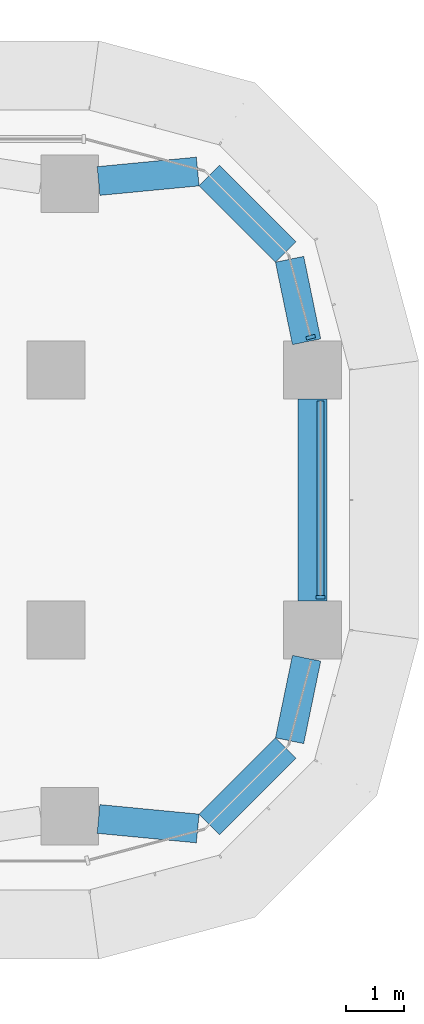
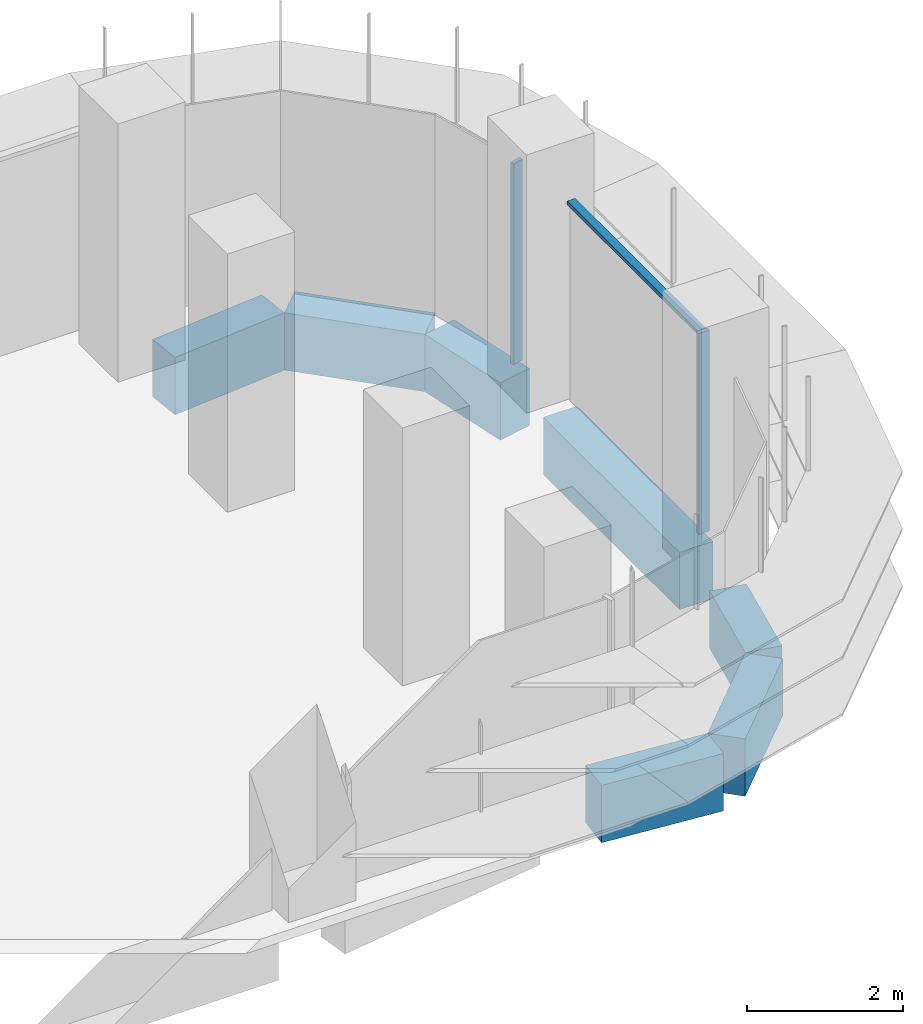
# One storey, part 11 of 23: 7 beams, 3 members, 2 elements without a shape of their own.
"""IFC4 building model written with IfcOpenShell, lengths in metres."""

from ifc_helpers import new_model, si_unit, direction, frame, origin, origin_2d, place, context, subcontext, project, spatial, polyline, rectangle, outline, extrude, source, transform, mapped, material, material_profile, profile_set, type_object, element, aggregate, save


model = new_model("IFC4")

# Units and contexts
model_context = context("Model", 3, precision=1e-05, world=origin(), true_north=direction((0.0, 1.0)))
body_context = subcontext(model_context, "Body", "Model", "MODEL_VIEW")
ifc_project = project(units=[si_unit("LENGTHUNIT", "METRE"), si_unit("AREAUNIT", "SQUARE_METRE"), si_unit("VOLUMEUNIT", "CUBIC_METRE"), si_unit("PLANEANGLEUNIT", "RADIAN"), si_unit("MASSUNIT", "GRAM", prefix="KILO")], contexts=[model_context])

# Site, building, storey
site_placement = place(None, origin())
site = spatial("IfcSite", under=ifc_project, at=site_placement, CompositionType="ELEMENT")
building_placement = place(site_placement, origin())
building = spatial("IfcBuilding", under=site, at=building_placement, Name="Zarbagh Exchange Tower", CompositionType="ELEMENT")
storey_placement = place(building_placement, frame((0.0, 0.0, 39.60009765625)))
storey = spatial("IfcBuildingStorey", under=building, at=storey_placement, Name="L08", CompositionType="ELEMENT", Elevation=39.60009765625)

# Beams
ifc_material_1 = material(Name="Concrete C60/75", Category="concrete")
ifc_material_profile = material_profile(ifc_material_1, rectangle(XDim=0.5, YDim=0.89990234375, at=origin_2d()), Name="RC spandrel beam 500 x 900 C60/75")
ifc_profile_set = profile_set([ifc_material_profile], Name="Concrete C60/75")
beam_type = type_object("IfcBeamType", Name="RC spandrel beam 500 x 900 C60/75", PredefinedType="SPANDREL", material=ifc_profile_set)
beam_1_placement = place(storey_placement, frame((29.40576171875, 5.522705078125, -0.60009765625), z_axis=(0.995431032456, 0.095483294999, 0.0), x_axis=(-0.095483294999, 0.995431032456, 0.0)))
element("IfcBeam", 1, at=beam_1_placement, inside=storey, type_object=beam_type, Name="RC spandrel beam", PredefinedType="SPANDREL", context=body_context, shape_type="SweptSolid", body=[
    extrude(rectangle(XDim=0.5, YDim=0.89990234375, at=origin_2d()), origin(), (0.0, 0.0, 1.0), 1.725830078125),
])
beam_2_placement = place(storey_placement, frame((31.324462890625, 5.615478515625, -0.60009765625), z_axis=(0.707172099812, -0.707041456527, 0.0), x_axis=(0.707041456527, 0.707172099812, 0.0)))
element("IfcBeam", 2, at=beam_2_placement, inside=storey, type_object=beam_type, Name="RC spandrel beam", PredefinedType="SPANDREL", context=body_context, shape_type="SweptSolid", body=[
    extrude(rectangle(XDim=0.5, YDim=0.89990234375, at=origin_2d()), origin(), (0.0, 0.0, 1.0), 1.86865234375),
])
beam_3_placement = place(storey_placement, frame((32.714111328125, 4.16796875, -0.60009765625), z_axis=(0.202068589164, -0.9793713725, 0.0), x_axis=(0.9793713725, 0.202068589164, 0.0)))
element("IfcBeam", 3, at=beam_3_placement, inside=storey, type_object=beam_type, Name="RC spandrel beam", PredefinedType="SPANDREL", context=body_context, shape_type="SweptSolid", body=[
    extrude(rectangle(XDim=0.5, YDim=0.89990234375, at=origin_2d()), origin(), (0.0, 0.0, 1.0), 1.458251953125),
])
beam_4_placement = place(storey_placement, frame((33.110107421875, 1.75, -0.60009765625), z_axis=(0.0, -1.0, 0.0), x_axis=(1.0, 0.0, 0.0)))
element("IfcBeam", 4, at=beam_4_placement, inside=storey, type_object=beam_type, Name="RC spandrel beam", PredefinedType="SPANDREL", context=body_context, shape_type="SweptSolid", body=[
    extrude(rectangle(XDim=0.5, YDim=0.89990234375, at=origin_2d()), origin(), (0.0, 0.0, 1.0), 3.5),
])
beam_5_placement = place(storey_placement, frame((33.0087890625, -2.73974609375, -0.60009765625), z_axis=(-0.202068589164, -0.9793713725, 0.0), x_axis=(0.9793713725, -0.202068589164, 0.0)))
element("IfcBeam", 5, at=beam_5_placement, inside=storey, type_object=beam_type, Name="RC spandrel beam", PredefinedType="SPANDREL", context=body_context, shape_type="SweptSolid", body=[
    extrude(rectangle(XDim=0.5, YDim=0.89990234375, at=origin_2d()), origin(), (0.0, 0.0, 1.0), 1.458251953125),
])
beam_6_placement = place(storey_placement, frame((32.64599609375, -4.294189453125, -0.60009765625), z_axis=(-0.707172099812, -0.707041456527, 0.0), x_axis=(0.707041456527, -0.707172099812, 0.0)))
element("IfcBeam", 6, at=beam_6_placement, inside=storey, type_object=beam_type, Name="RC spandrel beam", PredefinedType="SPANDREL", context=body_context, shape_type="SweptSolid", body=[
    extrude(rectangle(XDim=0.5, YDim=0.89990234375, at=origin_2d()), origin(), (0.0, 0.0, 1.0), 1.86865234375),
])
beam_7_placement = place(storey_placement, frame((31.123779296875, -5.6875, -0.60009765625), z_axis=(-0.995431032456, 0.095483294999, 0.0), x_axis=(-0.095483294999, -0.995431032456, 0.0)))
element("IfcBeam", 7, at=beam_7_placement, inside=storey, type_object=beam_type, Name="RC spandrel beam", PredefinedType="SPANDREL", context=body_context, shape_type="SweptSolid", body=[
    extrude(rectangle(XDim=0.5, YDim=0.89990234375, at=origin_2d()), origin(), (0.0, 0.0, 1.0), 1.725830078125),
])

# Curtain wall, member
ifc_material_2 = material(Name="Anodised aluminium frame and glazing", Category="aluminium")
curtain_wall_type = type_object("IfcCurtainWallType", Name="CWA Ribbon glazing, lower zones", PredefinedType="NOTDEFINED", material=ifc_material_2)
curtain_wall_1_placement = place(storey_placement, origin())
curtain_wall_1 = element("IfcCurtainWall", 8, at=curtain_wall_1_placement, inside=storey, type_object=curtain_wall_type, Name="CWA12 curtain wall", PredefinedType="NOTDEFINED")
ifc_material_3 = material(Name="Anodised aluminium frame", Category="aluminium")
member_type_1 = type_object("IfcMemberType", Name="MUA Mullion, anodised aluminium frame", PredefinedType="MULLION", material=ifc_material_3)
shared_shape_1 = source(origin(), body_context, "Body", "SweptSolid", [
    extrude(outline(polyline([(0.0, -0.080078125), (0.06005859375, -0.080078125), (0.06005859375, 0.080078125), (0.0, 0.080078125), (0.0, -0.080078125)])), origin(), (0.0, 0.0, 1.0), 3.14990234375),
])
placement = place(storey_placement, origin())
member_1 = element("IfcMember", 9, at=placement, type_object=member_type_1, Name="CWA12 mullion 1.1", PredefinedType="MULLION", context=body_context, shape_type="MappedRepresentation", body=[
    mapped(shared_shape_1, transform((33.25, -1.7099609375, 0.0), x_axis=(0.0, 1.0, 0.0), y_axis=(-1.0, 0.0, 0.0), z_axis=(0.0, 0.0, 1.0))),
])

curtain_wall_2_placement = place(storey_placement, origin())
curtain_wall_2 = element("IfcCurtainWall", 10, at=curtain_wall_2_placement, inside=storey, type_object=curtain_wall_type, Name="CWA13 curtain wall", PredefinedType="NOTDEFINED")
member_2 = element("IfcMember", 11, at=placement, type_object=member_type_1, Name="CWA13 mullion 1.1", PredefinedType="MULLION", context=body_context, shape_type="MappedRepresentation", body=[
    mapped(shared_shape_1, transform((33.087646484375, 2.7900390625, 0.0), x_axis=(-0.258824779902, 0.965924289636, 0.0), y_axis=(-0.965924289636, -0.258824779902, 0.0), z_axis=(0.0, 0.0, 1.0))),
])
aggregate(curtain_wall_2, [member_2])

# Member
member_type_2 = type_object("IfcMemberType", Name="TRA Transom, anodised aluminium frame", PredefinedType="USERDEFINED", material=ifc_material_3)
shared_shape_2 = source(origin(), body_context, "Body", "SweptSolid", [
    extrude(outline(polyline([(-0.06005859375, -0.06005859375), (0.0, -0.06005859375), (0.0, 0.06005859375), (-0.06005859375, 0.06005859375), (-0.06005859375, -0.06005859375)])), origin(), (0.0, 0.0, 1.0), 3.360107421875),
])
member_3 = element("IfcMember", 12, at=placement, type_object=member_type_2, Name="CWA12 transom 1.1", ObjectType="TRANSOM", PredefinedType="USERDEFINED", context=body_context, shape_type="MappedRepresentation", body=[
    mapped(shared_shape_2, transform((33.25, -1.64990234375, 3.14990234375), x_axis=(0.0, 0.0, 1.0), y_axis=(1.0, 0.0, 0.0), z_axis=(0.0, 1.0, 0.0))),
])

aggregate(curtain_wall_1, [member_1, member_3])

save(model, "model.ifc")
